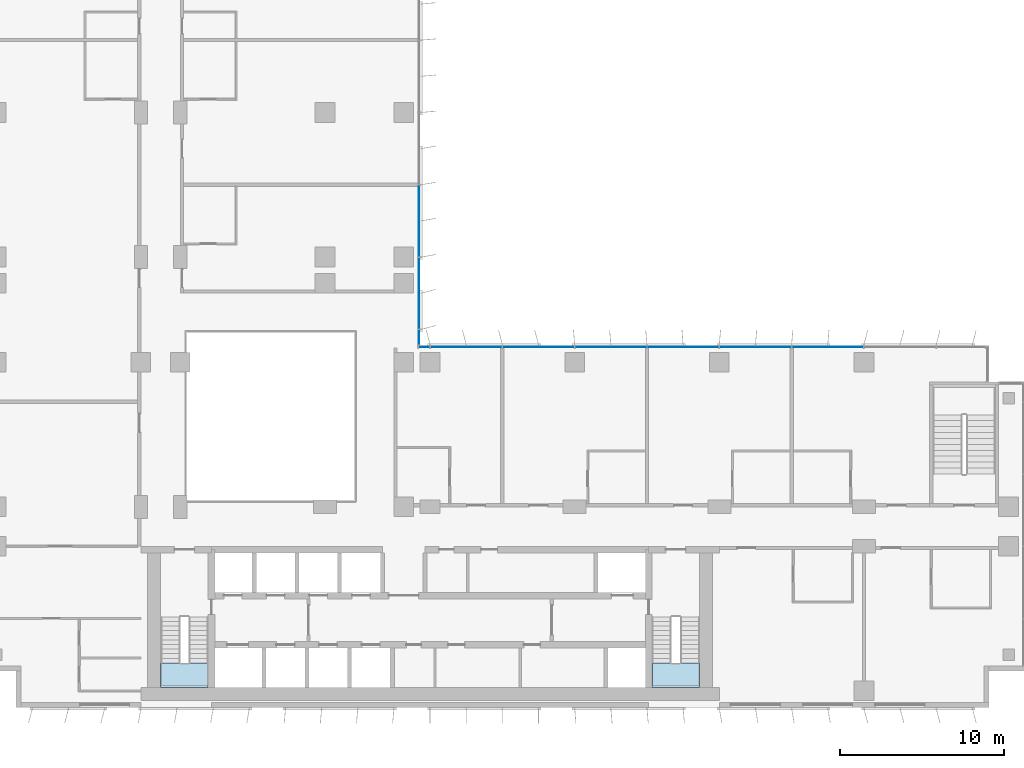
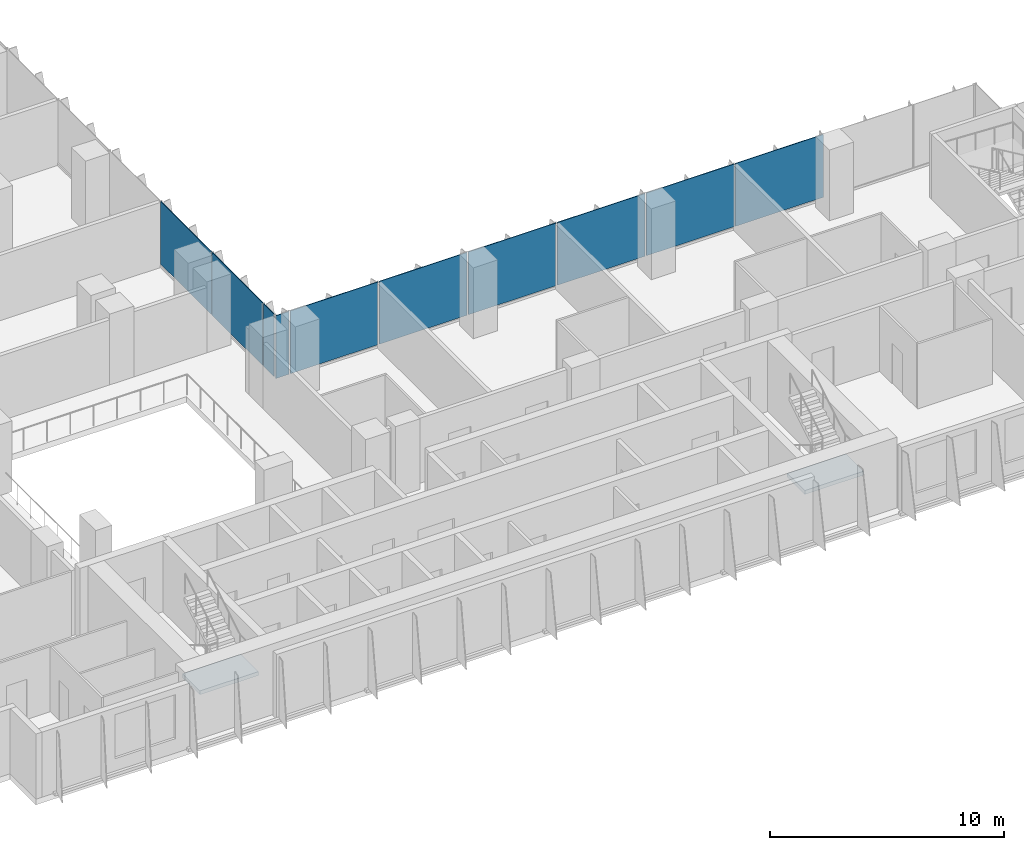
# One storey, part 10 of 22: 10 plates, 2 slabs, 4 elements without a shape of their own.
"""IFC4 building model written with IfcOpenShell, lengths in metres."""

from ifc_helpers import new_model, si_unit, direction, frame, origin, origin_2d, place, context, subcontext, project, spatial, polyline, rectangle, outline, extrude, source, transform, mapped, material, layer, layer_set, type_object, element, aggregate, save


model = new_model("IFC4")

# Units and contexts
model_context = context("Model", 3, precision=1e-05, world=origin(), true_north=direction((0.0, 1.0)))
body_context = subcontext(model_context, "Body", "Model", "MODEL_VIEW")
ifc_project = project(units=[si_unit("LENGTHUNIT", "METRE"), si_unit("AREAUNIT", "SQUARE_METRE"), si_unit("VOLUMEUNIT", "CUBIC_METRE"), si_unit("PLANEANGLEUNIT", "RADIAN"), si_unit("MASSUNIT", "GRAM", prefix="KILO")], contexts=[model_context])

# Site, building, storey
site_placement = place(None, origin())
site = spatial("IfcSite", under=ifc_project, at=site_placement, CompositionType="ELEMENT")
building_placement = place(site_placement, origin())
building = spatial("IfcBuilding", under=site, at=building_placement, Name="Kemantara Hotel Tower", CompositionType="ELEMENT")
storey_placement = place(building_placement, frame((0.0, 0.0, 122.199951171875)))
storey = spatial("IfcBuildingStorey", under=building, at=storey_placement, Name="L29", CompositionType="ELEMENT", Elevation=122.199951171875)

# Stair, slab
ifc_material_1 = material(Name="Concrete fc 40 MPa", Category="concrete")
stair_type = type_object("IfcStairType", Name="Stair 1200 wide 22 risers of 168 x 280 mm", PredefinedType="HALF_TURN_STAIR", material=ifc_material_1)
stair_1_placement = place(storey_placement, origin())
stair_1 = element("IfcStair", 1, at=stair_1_placement, inside=storey, type_object=stair_type, Name="L29 Exit stair ST1", PredefinedType="HALF_TURN_STAIR")
ifc_layer_1 = layer(ifc_material_1, 0.199951171875)
ifc_layer_set_1 = layer_set([ifc_layer_1], Name="Concrete fc 40 MPa")
slab_type = type_object("IfcSlabType", Name="Stair landing 200 mm", PredefinedType="LANDING", material=ifc_layer_set_1)
slab_1_placement = place(storey_placement, frame((0.0, 0.0, 1.650146484375)))
slab_1 = element("IfcSlab", 2, at=slab_1_placement, type_object=slab_type, Name="ST1 landing 1", PredefinedType="LANDING", context=body_context, shape_type="SweptSolid", body=[
    extrude(outline(polyline([(11.0, 2.699951171875), (11.0, 1.199951171875), (13.89990234375, 1.199951171875), (13.89990234375, 2.699951171875), (11.0, 2.699951171875)])), origin(), (0.0, 0.0, 1.0), 0.199951171875),
])
aggregate(stair_1, [slab_1])

stair_2_placement = place(storey_placement, origin())
stair_2 = element("IfcStair", 3, at=stair_2_placement, inside=storey, type_object=stair_type, Name="L29 Exit stair ST2", PredefinedType="HALF_TURN_STAIR")
slab_2_placement = place(storey_placement, frame((0.0, 0.0, 1.650146484375)))
slab_2 = element("IfcSlab", 4, at=slab_2_placement, type_object=slab_type, Name="ST2 landing 1", PredefinedType="LANDING", context=body_context, shape_type="SweptSolid", body=[
    extrude(outline(polyline([(40.89990234375, 2.699951171875), (40.89990234375, 1.199951171875), (43.800048828125, 1.199951171875), (43.800048828125, 2.699951171875), (40.89990234375, 2.699951171875)])), origin(), (0.0, 0.0, 1.0), 0.199951171875),
])
aggregate(stair_2, [slab_2])

# Curtain wall, plates
ifc_material_2 = material(Name="Low-E tinted double insulated glass 36 mm", Category="glass")
curtain_wall_type = type_object("IfcCurtainWallType", Name="TOWER CURTAIN WALL, FRONT FACES", PredefinedType="USERDEFINED", material=ifc_material_2)
curtain_wall_1_placement = place(storey_placement, origin())
curtain_wall_1 = element("IfcCurtainWall", 5, at=curtain_wall_1_placement, inside=storey, type_object=curtain_wall_type, Name="CW4 L29 T2-R13-1", ObjectType="TOWER CURTAIN WALL, FRONT FACES", PredefinedType="USERDEFINED")
ifc_layer_2 = layer(ifc_material_2, 0.035888671875)
ifc_layer_set_2 = layer_set([ifc_layer_2], Name="Low-E tinted double insulated glass 36 mm")
plate_type = type_object("IfcPlateType", Name="TOWER CURTAIN WALL, FRONT FACES PANEL", PredefinedType="CURTAIN_PANEL", material=ifc_layer_set_2)
shared_shape_1 = source(origin(), body_context, "Body", "SweptSolid", [
    extrude(rectangle(XDim=4.340087890625, YDim=0.035888671875, at=origin_2d()), origin(), (0.0, 0.0, 1.0), 3.280029296875),
])
plate_1_placement = place(storey_placement, frame((51.60009765625, 21.925048828125, 0.1201171875), z_axis=(0.0, 0.0, 1.0), x_axis=(-1.0, 0.0, 0.0)))
plate_1 = element("IfcPlate", 6, at=plate_1_placement, type_object=plate_type, Name="CW4 glass panel T2-R13-1.3", PredefinedType="CURTAIN_PANEL", context=body_context, shape_type="MappedRepresentation", body=[
    mapped(shared_shape_1, transform((0.0, 0.0, 0.0))),
])
plate_2_placement = place(storey_placement, frame((47.199951171875, 21.925048828125, 0.1201171875), z_axis=(0.0, 0.0, 1.0), x_axis=(-1.0, 0.0, 0.0)))
plate_2 = element("IfcPlate", 7, at=plate_2_placement, type_object=plate_type, Name="CW4 glass panel T2-R13-1.4", PredefinedType="CURTAIN_PANEL", context=body_context, shape_type="MappedRepresentation", body=[
    mapped(shared_shape_1, transform((0.0, 0.0, 0.0))),
])
plate_3_placement = place(storey_placement, frame((42.800048828125, 21.925048828125, 0.1201171875), z_axis=(0.0, 0.0, 1.0), x_axis=(-1.0, 0.0, 0.0)))
plate_3 = element("IfcPlate", 8, at=plate_3_placement, type_object=plate_type, Name="CW4 glass panel T2-R13-1.5", PredefinedType="CURTAIN_PANEL", context=body_context, shape_type="MappedRepresentation", body=[
    mapped(shared_shape_1, transform((0.0, 0.0, 0.0))),
])
plate_4_placement = place(storey_placement, frame((38.39990234375, 21.925048828125, 0.1201171875), z_axis=(0.0, 0.0, 1.0), x_axis=(-1.0, 0.0, 0.0)))
plate_4 = element("IfcPlate", 9, at=plate_4_placement, type_object=plate_type, Name="CW4 glass panel T2-R13-1.6", PredefinedType="CURTAIN_PANEL", context=body_context, shape_type="MappedRepresentation", body=[
    mapped(shared_shape_1, transform((0.0, 0.0, 0.0))),
])
plate_5_placement = place(storey_placement, frame((34.0, 21.925048828125, 0.1201171875), z_axis=(0.0, 0.0, 1.0), x_axis=(-1.0, 0.0, 0.0)))
plate_5 = element("IfcPlate", 10, at=plate_5_placement, type_object=plate_type, Name="CW4 glass panel T2-R13-1.7", PredefinedType="CURTAIN_PANEL", context=body_context, shape_type="MappedRepresentation", body=[
    mapped(shared_shape_1, transform((0.0, 0.0, 0.0))),
])
plate_6_placement = place(storey_placement, frame((29.60009765625, 21.925048828125, 0.1201171875), z_axis=(0.0, 0.0, 1.0), x_axis=(-1.0, 0.0, 0.0)))
plate_6 = element("IfcPlate", 11, at=plate_6_placement, type_object=plate_type, Name="CW4 glass panel T2-R13-1.8", PredefinedType="CURTAIN_PANEL", context=body_context, shape_type="MappedRepresentation", body=[
    mapped(shared_shape_1, transform((0.0, 0.0, 0.0))),
])

curtain_wall_2_placement = place(storey_placement, origin())
curtain_wall_2 = element("IfcCurtainWall", 12, at=curtain_wall_2_placement, inside=storey, type_object=curtain_wall_type, Name="CW4 L29 T2-R14-1", ObjectType="TOWER CURTAIN WALL, FRONT FACES", PredefinedType="USERDEFINED")
plate_7_placement = place(storey_placement, frame((26.72509765625, 25.199951171875, 0.1201171875), z_axis=(0.0, 0.0, 1.0), x_axis=(0.0, 1.0, 0.0)))
plate_7 = element("IfcPlate", 13, at=plate_7_placement, type_object=plate_type, Name="CW4 glass panel T2-R14-1.2", PredefinedType="CURTAIN_PANEL", context=body_context, shape_type="MappedRepresentation", body=[
    mapped(shared_shape_1, transform((0.0, 0.0, 0.0))),
])
plate_8_placement = place(storey_placement, frame((26.72509765625, 29.60009765625, 0.1201171875), z_axis=(0.0, 0.0, 1.0), x_axis=(0.0, 1.0, 0.0)))
plate_8 = element("IfcPlate", 14, at=plate_8_placement, type_object=plate_type, Name="CW4 glass panel T2-R14-1.3", PredefinedType="CURTAIN_PANEL", context=body_context, shape_type="MappedRepresentation", body=[
    mapped(shared_shape_1, transform((0.0, 0.0, 0.0))),
])

# Plate
shared_shape_2 = source(origin(), body_context, "Body", "SweptSolid", [
    extrude(rectangle(XDim=0.659912109375, YDim=0.035888671875, at=origin_2d()), origin(), (0.0, 0.0, 1.0), 3.280029296875),
])
plate_9_placement = place(storey_placement, frame((27.0400390625, 21.925048828125, 0.1201171875), z_axis=(0.0, 0.0, 1.0), x_axis=(-1.0, 0.0, 0.0)))
plate_9 = element("IfcPlate", 15, at=plate_9_placement, type_object=plate_type, Name="CW4 glass panel T2-R13-1.9", PredefinedType="CURTAIN_PANEL", context=body_context, shape_type="MappedRepresentation", body=[
    mapped(shared_shape_2, transform((0.0, 0.0, 0.0))),
])

aggregate(curtain_wall_1, [plate_1, plate_2, plate_3, plate_4, plate_5, plate_6, plate_9])

shared_shape_3 = source(origin(), body_context, "Body", "SweptSolid", [
    extrude(rectangle(XDim=0.909912109375, YDim=0.035888671875, at=origin_2d()), origin(), (0.0, 0.0, 1.0), 3.280029296875),
])
plate_10_placement = place(storey_placement, frame((26.72509765625, 22.514892578125, 0.1201171875), z_axis=(0.0, 0.0, 1.0), x_axis=(0.0, 1.0, 0.0)))
plate_10 = element("IfcPlate", 16, at=plate_10_placement, type_object=plate_type, Name="CW4 glass panel T2-R14-1.1", PredefinedType="CURTAIN_PANEL", context=body_context, shape_type="MappedRepresentation", body=[
    mapped(shared_shape_3, transform((0.0, 0.0, 0.0))),
])

aggregate(curtain_wall_2, [plate_10, plate_7, plate_8])

save(model, "model.ifc")
